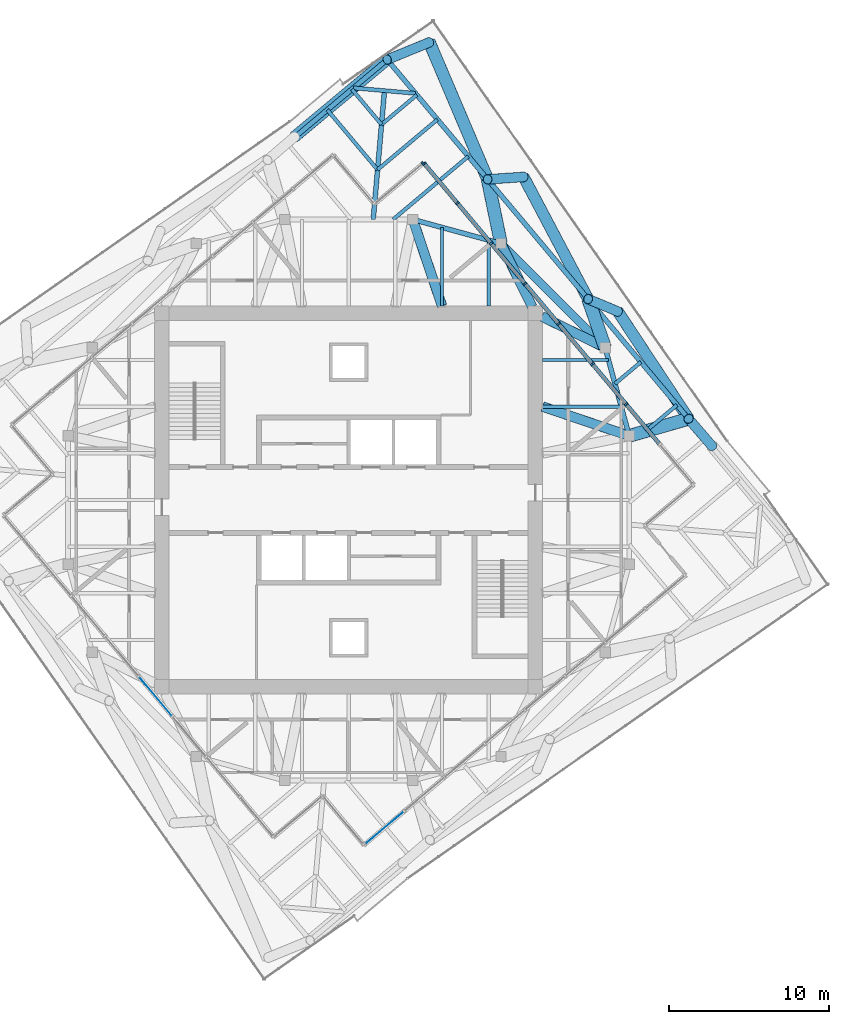
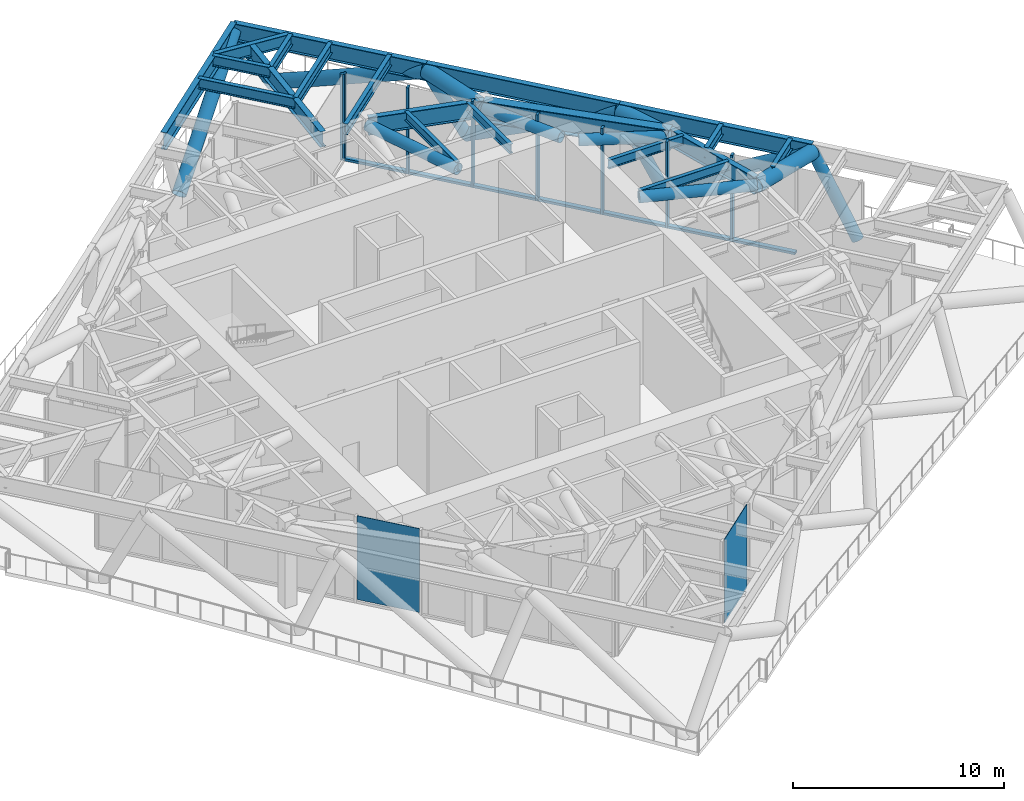
# One storey, part 5 of 15: 30 members, 20 beams, 2 plates, 4 elements without a shape of their own.
"""IFC4 building model written with IfcOpenShell, lengths in metres."""

from ifc_helpers import new_model, si_unit, direction, frame, origin, origin_2d, place, context, subcontext, project, spatial, rectangle, hollow_circle, i_section, extrude, material, layer, layer_set, material_profile, profile_set, type_object, element, aggregate, save


model = new_model("IFC4")

# Units and contexts
model_context = context("Model", 3, precision=1e-05, world=origin(), true_north=direction((0.0, 1.0)))
body_context = subcontext(model_context, "Body", "Model", "MODEL_VIEW")
ifc_project = project(units=[si_unit("LENGTHUNIT", "METRE"), si_unit("AREAUNIT", "SQUARE_METRE"), si_unit("VOLUMEUNIT", "CUBIC_METRE"), si_unit("PLANEANGLEUNIT", "RADIAN"), si_unit("MASSUNIT", "GRAM", prefix="KILO")], contexts=[model_context])

# Site, building, storey
site_placement = place(None, origin())
site = spatial("IfcSite", under=ifc_project, at=site_placement, CompositionType="ELEMENT")
building_placement = place(site_placement, origin())
building = spatial("IfcBuilding", under=site, at=building_placement, Name="Torsade Residences", CompositionType="ELEMENT")
storey_placement = place(building_placement, frame((0.0, 0.0, 267.60009765625)))
storey = spatial("IfcBuildingStorey", under=building, at=storey_placement, Name="L74", CompositionType="ELEMENT", Elevation=267.60009765625)

# Beams
ifc_material_1 = material(Name="Steel grade 300", Category="steel")
ifc_material_profile_1 = material_profile(ifc_material_1, i_section(OverallWidth=0.300048828125, OverallDepth=0.89990234375, WebThickness=0.011962890625, FlangeThickness=0.02490234375, at=origin_2d()), Name="900WB175")
ifc_profile_set_1 = profile_set([ifc_material_profile_1], Name="Steel grade 300")
beam_type_1 = type_object("IfcBeamType", Name="CORNER GIRDER 900WB175", PredefinedType="BEAM", material=ifc_profile_set_1)
beam_1_placement = place(storey_placement, frame((42.234130859375, 55.53515625, 4.39990234375), z_axis=(-0.087172957961, -0.996193191806, 0.0), x_axis=(0.996193191806, -0.087172957961, 0.0)))
element("IfcBeam", 1, at=beam_1_placement, inside=storey, type_object=beam_type_1, Name="Corner girder 09 L75", PredefinedType="BEAM", context=body_context, shape_type="SweptSolid", body=[
    extrude(i_section(OverallWidth=0.300048828125, OverallDepth=0.89990234375, WebThickness=0.011962890625, FlangeThickness=0.02490234375, at=origin_2d()), origin(), (0.0, 0.0, 1.0), 8.06591796875),
])
ifc_material_2 = material(Name="Steel grade 300", Category="steel")
ifc_material_profile_2 = material_profile(ifc_material_2, i_section(OverallWidth=0.25, OverallDepth=0.699951171875, WebThickness=0.010009765625, FlangeThickness=0.02001953125, at=origin_2d()), Name="700WB130")
ifc_profile_set_2 = profile_set([ifc_material_profile_2], Name="Steel grade 300")
beam_type_2 = type_object("IfcBeamType", Name="CORNER TRIMMER 700WB130", PredefinedType="BEAM", material=ifc_profile_set_2)
beam_2_placement = place(storey_placement, frame((40.296875, 55.70458984375, 4.5), z_axis=(0.996196646947, -0.087133464362, 0.0), x_axis=(0.087133464362, 0.996196646947, 0.0)))
element("IfcBeam", 2, at=beam_2_placement, inside=storey, type_object=beam_type_2, Name="Corner trimmer 09 L75", PredefinedType="BEAM", context=body_context, shape_type="SweptSolid", body=[
    extrude(i_section(OverallWidth=0.25, OverallDepth=0.699951171875, WebThickness=0.010009765625, FlangeThickness=0.02001953125, at=origin_2d()), origin(), (0.0, 0.0, 1.0), 3.88916015625),
])

# Curtain wall, members
ifc_material_3 = material(Name="Aluminium and glass", Category="aluminium")
curtain_wall_type = type_object("IfcCurtainWallType", Name="TRANSFER LEVEL CURTAIN WALL HIGH ZONE", PredefinedType="NOTDEFINED", material=ifc_material_3)
curtain_wall_1_placement = place(storey_placement, origin())
curtain_wall_1 = element("IfcCurtainWall", 3, at=curtain_wall_1_placement, inside=storey, type_object=curtain_wall_type, Name="Curtain wall L74 face 4", PredefinedType="NOTDEFINED")
ifc_material_4 = material(Name="Aluminium mullion", Category="aluminium")
ifc_material_profile_3 = material_profile(ifc_material_4, rectangle(XDim=0.25, YDim=0.1201171875, at=origin_2d()), Name="HIGH ZONE TRANSFER CURTAIN WALL MULLION 250x120")
ifc_profile_set_3 = profile_set([ifc_material_profile_3], Name="Aluminium mullion")
member_type_1 = type_object("IfcMemberType", Name="HIGH ZONE TRANSFER CURTAIN WALL MULLION 250x120", PredefinedType="MULLION", material=ifc_profile_set_3)
member_1_placement = place(storey_placement, frame((57.3095703125, 35.97412109375, 0.0), z_axis=(0.0, 0.0, 1.0), x_axis=(-0.766044424888, -0.642787631413, 0.0)))
member_1 = element("IfcMember", 4, at=member_1_placement, type_object=member_type_1, Name="Mullion 3", PredefinedType="MULLION", context=body_context, shape_type="SweptSolid", body=[
    extrude(rectangle(XDim=0.25, YDim=0.1201171875, at=origin_2d()), origin(), (0.0, 0.0, 1.0), 5.0),
])
member_2_placement = place(storey_placement, frame((55.20458984375, 38.48291015625, 0.0), z_axis=(0.0, 0.0, 1.0), x_axis=(-0.766044424888, -0.642787631413, 0.0)))
member_2 = element("IfcMember", 5, at=member_2_placement, type_object=member_type_1, Name="Mullion 4", PredefinedType="MULLION", context=body_context, shape_type="SweptSolid", body=[
    extrude(rectangle(XDim=0.25, YDim=0.1201171875, at=origin_2d()), origin(), (0.0, 0.0, 1.0), 5.0),
])
member_3_placement = place(storey_placement, frame((53.099365234375, 40.99169921875, 0.0), z_axis=(0.0, 0.0, 1.0), x_axis=(-0.766044424888, -0.642787631413, 0.0)))
member_3 = element("IfcMember", 6, at=member_3_placement, type_object=member_type_1, Name="Mullion 5", PredefinedType="MULLION", context=body_context, shape_type="SweptSolid", body=[
    extrude(rectangle(XDim=0.25, YDim=0.1201171875, at=origin_2d()), origin(), (0.0, 0.0, 1.0), 5.0),
])
member_4_placement = place(storey_placement, frame((50.994140625, 43.50048828125, 0.0), z_axis=(0.0, 0.0, 1.0), x_axis=(-0.766044424888, -0.642787631413, 0.0)))
member_4 = element("IfcMember", 7, at=member_4_placement, type_object=member_type_1, Name="Mullion 6", PredefinedType="MULLION", context=body_context, shape_type="SweptSolid", body=[
    extrude(rectangle(XDim=0.25, YDim=0.1201171875, at=origin_2d()), origin(), (0.0, 0.0, 1.0), 5.0),
])
member_5_placement = place(storey_placement, frame((48.88916015625, 46.00927734375, 0.0), z_axis=(0.0, 0.0, 1.0), x_axis=(-0.766044424888, -0.642787631413, 0.0)))
member_5 = element("IfcMember", 8, at=member_5_placement, type_object=member_type_1, Name="Mullion 7", PredefinedType="MULLION", context=body_context, shape_type="SweptSolid", body=[
    extrude(rectangle(XDim=0.25, YDim=0.1201171875, at=origin_2d()), origin(), (0.0, 0.0, 1.0), 5.0),
])
member_6_placement = place(storey_placement, frame((46.783935546875, 48.51806640625, 0.0), z_axis=(0.0, 0.0, 1.0), x_axis=(-0.766044424888, -0.642787631413, 0.0)))
member_6 = element("IfcMember", 9, at=member_6_placement, type_object=member_type_1, Name="Mullion 8", PredefinedType="MULLION", context=body_context, shape_type="SweptSolid", body=[
    extrude(rectangle(XDim=0.25, YDim=0.1201171875, at=origin_2d()), origin(), (0.0, 0.0, 1.0), 5.0),
])
member_7_placement = place(storey_placement, frame((44.717529296875, 50.98095703125, 0.0), z_axis=(0.0, 0.0, 1.0), x_axis=(-0.766044424888, -0.642787631413, 0.0)))
member_7 = element("IfcMember", 10, at=member_7_placement, type_object=member_type_1, Name="Mullion 9", PredefinedType="MULLION", context=body_context, shape_type="SweptSolid", body=[
    extrude(rectangle(XDim=0.25, YDim=0.1201171875, at=origin_2d()), origin(), (0.0, 0.0, 1.0), 5.0),
])

# Curtain wall, member
curtain_wall_2_placement = place(storey_placement, origin())
curtain_wall_2 = element("IfcCurtainWall", 11, at=curtain_wall_2_placement, inside=storey, type_object=curtain_wall_type, Name="Curtain wall L74 face 5", PredefinedType="NOTDEFINED")
member_8_placement = place(storey_placement, frame((44.6328125, 50.98828125, 0.0), z_axis=(0.0, 0.0, 1.0), x_axis=(0.642787640411, -0.766044417338, 0.0)))
member_8 = element("IfcMember", 12, at=member_8_placement, type_object=member_type_1, Name="Mullion 1", PredefinedType="MULLION", context=body_context, shape_type="SweptSolid", body=[
    extrude(rectangle(XDim=0.25, YDim=0.1201171875, at=origin_2d()), origin(), (0.0, 0.0, 1.0), 5.0),
])
aggregate(curtain_wall_2, [member_8])

# Member
ifc_material_5 = material(Name="Aluminium transom", Category="aluminium")
ifc_material_profile_4 = material_profile(ifc_material_5, rectangle(XDim=0.25, YDim=0.139892578125, at=origin_2d()), Name="HIGH ZONE TRANSFER CURTAIN WALL TRANSOM 250x140")
ifc_profile_set_4 = profile_set([ifc_material_profile_4], Name="Aluminium transom")
member_type_2 = type_object("IfcMemberType", Name="HIGH ZONE TRANSFER CURTAIN WALL TRANSOM 250x140", PredefinedType="USERDEFINED", material=ifc_profile_set_4)
member_9_placement = place(storey_placement, frame((59.376220703125, 33.51123046875, 0.06982421875), z_axis=(-0.642783688793, 0.766047733122, 0.0), x_axis=(-0.766047733122, -0.642783688793, 0.0)))
member_9 = element("IfcMember", 13, at=member_9_placement, type_object=member_type_2, Name="Transom 2.1", ObjectType="TRANSOM", PredefinedType="USERDEFINED", context=body_context, shape_type="SweptSolid", body=[
    extrude(rectangle(XDim=0.25, YDim=0.139892578125, at=origin_2d()), origin(), (0.0, 0.0, 1.0), 3.155029296875),
])

member_10_placement = place(storey_placement, frame((57.27099609375, 36.02001953125, 0.06982421875), z_axis=(-0.642738277412, 0.766085835105, 0.0), x_axis=(-0.766085835105, -0.642738277412, 0.0)))
member_10 = element("IfcMember", 14, at=member_10_placement, type_object=member_type_2, Name="Transom 3.1", ObjectType="TRANSOM", PredefinedType="USERDEFINED", context=body_context, shape_type="SweptSolid", body=[
    extrude(rectangle(XDim=0.25, YDim=0.139892578125, at=origin_2d()), origin(), (0.0, 0.0, 1.0), 3.155029296875),
])

member_11_placement = place(storey_placement, frame((55.166015625, 38.52880859375, 0.06982421875), z_axis=(-0.642783688793, 0.766047733122, 0.0), x_axis=(-0.766047733122, -0.642783688793, 0.0)))
member_11 = element("IfcMember", 15, at=member_11_placement, type_object=member_type_2, Name="Transom 4.1", ObjectType="TRANSOM", PredefinedType="USERDEFINED", context=body_context, shape_type="SweptSolid", body=[
    extrude(rectangle(XDim=0.25, YDim=0.139892578125, at=origin_2d()), origin(), (0.0, 0.0, 1.0), 3.155029296875),
])

member_12_placement = place(storey_placement, frame((53.060791015625, 41.03759765625, 0.06982421875), z_axis=(-0.642783688793, 0.766047733122, 0.0), x_axis=(-0.766047733122, -0.642783688793, 0.0)))
member_12 = element("IfcMember", 16, at=member_12_placement, type_object=member_type_2, Name="Transom 5.1", ObjectType="TRANSOM", PredefinedType="USERDEFINED", context=body_context, shape_type="SweptSolid", body=[
    extrude(rectangle(XDim=0.25, YDim=0.139892578125, at=origin_2d()), origin(), (0.0, 0.0, 1.0), 3.155029296875),
])

member_13_placement = place(storey_placement, frame((50.95556640625, 43.54638671875, 0.06982421875), z_axis=(-0.642738277412, 0.766085835105, 0.0), x_axis=(-0.766085835105, -0.642738277412, 0.0)))
member_13 = element("IfcMember", 17, at=member_13_placement, type_object=member_type_2, Name="Transom 6.1", ObjectType="TRANSOM", PredefinedType="USERDEFINED", context=body_context, shape_type="SweptSolid", body=[
    extrude(rectangle(XDim=0.25, YDim=0.139892578125, at=origin_2d()), origin(), (0.0, 0.0, 1.0), 3.155029296875),
])

member_14_placement = place(storey_placement, frame((48.8505859375, 46.05517578125, 0.06982421875), z_axis=(-0.642783688793, 0.766047733122, 0.0), x_axis=(-0.766047733122, -0.642783688793, 0.0)))
member_14 = element("IfcMember", 18, at=member_14_placement, type_object=member_type_2, Name="Transom 7.1", ObjectType="TRANSOM", PredefinedType="USERDEFINED", context=body_context, shape_type="SweptSolid", body=[
    extrude(rectangle(XDim=0.25, YDim=0.139892578125, at=origin_2d()), origin(), (0.0, 0.0, 1.0), 3.155029296875),
])

member_15_placement = place(storey_placement, frame((46.745361328125, 48.56396484375, 0.06982421875), z_axis=(-0.642810915537, 0.766024886585, 0.0), x_axis=(-0.766024886585, -0.642810915537, 0.0)))
member_15 = element("IfcMember", 19, at=member_15_placement, type_object=member_type_2, Name="Transom 8.1", ObjectType="TRANSOM", PredefinedType="USERDEFINED", context=body_context, shape_type="SweptSolid", body=[
    extrude(rectangle(XDim=0.25, YDim=0.139892578125, at=origin_2d()), origin(), (0.0, 0.0, 1.0), 3.094970703125),
])

aggregate(curtain_wall_1, [member_1, member_2, member_3, member_4, member_5, member_6, member_7, member_9, member_10, member_11, member_12, member_13, member_14, member_15])

# Beams
ifc_material_6 = material(Name="Steel grade 300", Category="steel")
ifc_material_profile_5 = material_profile(ifc_material_6, i_section(OverallWidth=0.208984375, OverallDepth=0.528076171875, WebThickness=0.009521484375, FlangeThickness=0.01318359375, FilletRadius=0.013916015625, at=origin_2d()), Name="530UB82.0")
ifc_profile_set_5 = profile_set([ifc_material_profile_5], Name="Steel grade 300")
beam_type_3 = type_object("IfcBeamType", Name="INNER FLOOR BEAM 530UB82.0", PredefinedType="JOIST", material=ifc_profile_set_5)
beam_3_placement = place(storey_placement, frame((45.824951171875, 42.10009765625, 4.5859375), z_axis=(0.0, 1.0, 0.0), x_axis=(-1.0, 0.0, 0.0)))
element("IfcBeam", 20, at=beam_3_placement, inside=storey, type_object=beam_type_3, Name="Inner floor beam IN06 L75", PredefinedType="JOIST", context=body_context, shape_type="SweptSolid", body=[
    extrude(i_section(OverallWidth=0.208984375, OverallDepth=0.528076171875, WebThickness=0.009521484375, FlangeThickness=0.01318359375, FilletRadius=0.013916015625, at=origin_2d()), origin(), (0.0, 0.0, 1.0), 4.902099609375),
])
beam_4_placement = place(storey_placement, frame((48.737548828125, 42.10009765625, 4.5859375), z_axis=(0.0, 1.0, 0.0), x_axis=(-1.0, 0.0, 0.0)))
element("IfcBeam", 21, at=beam_4_placement, inside=storey, type_object=beam_type_3, Name="Inner floor beam IN07 L75", PredefinedType="JOIST", context=body_context, shape_type="SweptSolid", body=[
    extrude(i_section(OverallWidth=0.208984375, OverallDepth=0.528076171875, WebThickness=0.009521484375, FlangeThickness=0.01318359375, FilletRadius=0.013916015625, at=origin_2d()), origin(), (0.0, 0.0, 1.0), 4.10791015625),
])
beam_5_placement = place(storey_placement, frame((52.10009765625, 35.824951171875, 4.5859375), z_axis=(1.0, 0.0, 0.0), x_axis=(0.0, 1.0, 0.0)))
element("IfcBeam", 22, at=beam_5_placement, inside=storey, type_object=beam_type_3, Name="Inner floor beam IE06 L75", PredefinedType="JOIST", context=body_context, shape_type="SweptSolid", body=[
    extrude(i_section(OverallWidth=0.208984375, OverallDepth=0.528076171875, WebThickness=0.009521484375, FlangeThickness=0.01318359375, FilletRadius=0.013916015625, at=origin_2d()), origin(), (0.0, 0.0, 1.0), 4.902099609375),
])
beam_6_placement = place(storey_placement, frame((52.10009765625, 38.737548828125, 4.5859375), z_axis=(1.0, 0.0, 0.0), x_axis=(0.0, 1.0, 0.0)))
element("IfcBeam", 23, at=beam_6_placement, inside=storey, type_object=beam_type_3, Name="Inner floor beam IE07 L75", PredefinedType="JOIST", context=body_context, shape_type="SweptSolid", body=[
    extrude(i_section(OverallWidth=0.208984375, OverallDepth=0.528076171875, WebThickness=0.009521484375, FlangeThickness=0.01318359375, FilletRadius=0.013916015625, at=origin_2d()), origin(), (0.0, 0.0, 1.0), 4.10791015625),
])
ifc_material_7 = material(Name="Steel grade 300", Category="steel")
ifc_material_profile_6 = material_profile(ifc_material_7, i_section(OverallWidth=0.5, OverallDepth=1.199951171875, WebThickness=0.01611328125, FlangeThickness=0.0400390625, at=origin_2d()), Name="1200WB455")
ifc_profile_set_6 = profile_set([ifc_material_profile_6], Name="Steel grade 300")
beam_type_4 = type_object("IfcBeamType", Name="RING CORNER GIRDER 1200WB455", PredefinedType="BEAM", material=ifc_profile_set_6)
beam_7_placement = place(storey_placement, frame((56.0, 39.5, 4.25), z_axis=(-0.707106781187, 0.707106781187, 0.0), x_axis=(-0.707106781187, -0.707106781187, 0.0)))
element("IfcBeam", 24, at=beam_7_placement, inside=storey, type_object=beam_type_4, Name="Ring girder IR03 L75", PredefinedType="BEAM", context=body_context, shape_type="SweptSolid", body=[
    extrude(i_section(OverallWidth=0.5, OverallDepth=1.199951171875, WebThickness=0.01611328125, FlangeThickness=0.0400390625, at=origin_2d()), origin(), (0.0, 0.0, 1.0), 9.1923828125),
])
ifc_material_8 = material(Name="Steel grade 300", Category="steel")
ifc_material_profile_7 = material_profile(ifc_material_8, i_section(OverallWidth=0.300048828125, OverallDepth=1.0, WebThickness=0.01611328125, FlangeThickness=0.028076171875, at=origin_2d()), Name="1000WB215")
ifc_profile_set_7 = profile_set([ifc_material_profile_7], Name="Steel grade 300")
beam_type_5 = type_object("IfcBeamType", Name="RING GIRDER 1000WB215", PredefinedType="BEAM", material=ifc_profile_set_7)
for number, where, z_axis, x_axis, name in (
    (25, (57.5, 34.0, 4.349853515625), (-0.263117405792, 0.964763821238, 0.0), (-0.964763821238, -0.263117405792, 0.0), "Ring girder IR02 L75"),
    (26, (49.5, 46.0, 4.349853515625), (-0.964763821238, 0.263117405792, 0.0), (-0.263117405792, -0.964763821238, 0.0), "Ring girder IR04 L75"),
):
    element("IfcBeam", number, at=place(storey_placement, frame(where, z_axis=z_axis, x_axis=x_axis)), inside=storey, type_object=beam_type_5, Name=name, PredefinedType="BEAM", context=body_context, shape_type="SweptSolid", body=[
        extrude(i_section(OverallWidth=0.300048828125, OverallDepth=1.0, WebThickness=0.01611328125, FlangeThickness=0.028076171875, at=origin_2d()), origin(), (0.0, 0.0, 1.0), 5.700927734375),
    ])
ifc_material_9 = material(Name="Steel grade 300", Category="steel")
ifc_material_profile_8 = material_profile(ifc_material_9, i_section(OverallWidth=0.22900390625, OverallDepth=0.612060546875, WebThickness=0.011962890625, FlangeThickness=0.01953125, FilletRadius=0.013916015625, at=origin_2d()), Name="610UB125")
ifc_profile_set_8 = profile_set([ifc_material_profile_8], Name="Steel grade 300")
beam_type_6 = type_object("IfcBeamType", Name="SECONDARY BEAM 610UB125", PredefinedType="JOIST", material=ifc_profile_set_8)
beam_8_placement = place(storey_placement, frame((60.48193359375, 35.92724609375, 4.5439453125), z_axis=(-0.766075140542, -0.642751024148, 0.0), x_axis=(0.642751024148, -0.766075140542, 0.0)))
element("IfcBeam", 27, at=beam_8_placement, inside=storey, type_object=beam_type_6, Name="Floor beam FE04 L75", PredefinedType="JOIST", context=body_context, shape_type="SweptSolid", body=[
    extrude(i_section(OverallWidth=0.22900390625, OverallDepth=0.612060546875, WebThickness=0.011962890625, FlangeThickness=0.01953125, FilletRadius=0.013916015625, at=origin_2d()), origin(), (0.0, 0.0, 1.0), 2.531982421875),
])
beam_9_placement = place(storey_placement, frame((58.232177734375, 38.6083984375, 4.5439453125), z_axis=(-0.766057560226, -0.642771977004, 0.0), x_axis=(0.642771977004, -0.766057560226, 0.0)))
element("IfcBeam", 28, at=beam_9_placement, inside=storey, type_object=beam_type_6, Name="Floor beam FE05 L75", PredefinedType="JOIST", context=body_context, shape_type="SweptSolid", body=[
    extrude(i_section(OverallWidth=0.22900390625, OverallDepth=0.612060546875, WebThickness=0.011962890625, FlangeThickness=0.01953125, FilletRadius=0.013916015625, at=origin_2d()), origin(), (0.0, 0.0, 1.0), 2.113037109375),
])
beam_10_placement = place(storey_placement, frame((47.465576171875, 51.439697265625, 4.5439453125), z_axis=(-0.766039049329, -0.642794037701, 0.0), x_axis=(0.642794037701, -0.766039049329, 0.0)))
element("IfcBeam", 29, at=beam_10_placement, inside=storey, type_object=beam_type_6, Name="Floor beam FE10 L75", PredefinedType="JOIST", context=body_context, shape_type="SweptSolid", body=[
    extrude(i_section(OverallWidth=0.22900390625, OverallDepth=0.612060546875, WebThickness=0.011962890625, FlangeThickness=0.01953125, FilletRadius=0.013916015625, at=origin_2d()), origin(), (0.0, 0.0, 1.0), 6.12890625),
])
beam_11_placement = place(storey_placement, frame((45.537109375, 53.73779296875, 4.5439453125), z_axis=(-0.766041186946, -0.642791490223, 0.0), x_axis=(0.642791490223, -0.766041186946, 0.0)))
element("IfcBeam", 30, at=beam_11_placement, inside=storey, type_object=beam_type_6, Name="Floor beam FE11 L75", PredefinedType="JOIST", context=body_context, shape_type="SweptSolid", body=[
    extrude(i_section(OverallWidth=0.22900390625, OverallDepth=0.612060546875, WebThickness=0.011962890625, FlangeThickness=0.01953125, FilletRadius=0.013916015625, at=origin_2d()), origin(), (0.0, 0.0, 1.0), 4.875),
])
for number, where, z_axis, x_axis, name in (
    (31, (44.25146484375, 55.269775390625, 4.5439453125), (-0.766066093402, -0.642761807001, 0.0), (0.642761807001, -0.766066093402, 0.0), "Floor beam FE12 L75"),
    (32, (40.201171875, 55.624267578125, 4.5439453125), (0.642761807001, -0.766066093402, 0.0), (0.766066093402, 0.642761807001, 0.0), "Floor beam FN01 L75"),
):
    element("IfcBeam", number, at=place(storey_placement, frame(where, z_axis=z_axis, x_axis=x_axis)), inside=storey, type_object=beam_type_6, Name=name, PredefinedType="JOIST", context=body_context, shape_type="SweptSolid", body=[
        extrude(i_section(OverallWidth=0.22900390625, OverallDepth=0.612060546875, WebThickness=0.011962890625, FlangeThickness=0.01953125, FilletRadius=0.013916015625, at=origin_2d()), origin(), (0.0, 0.0, 1.0), 2.875),
    ])
beam_12_placement = place(storey_placement, frame((38.6689453125, 54.338623046875, 4.5439453125), z_axis=(0.642820877376, -0.766016526982, 0.0), x_axis=(0.766016526982, 0.642820877376, 0.0)))
element("IfcBeam", 33, at=beam_12_placement, inside=storey, type_object=beam_type_6, Name="Floor beam FN02 L75", PredefinedType="JOIST", context=body_context, shape_type="SweptSolid", body=[
    extrude(i_section(OverallWidth=0.22900390625, OverallDepth=0.612060546875, WebThickness=0.011962890625, FlangeThickness=0.01953125, FilletRadius=0.013916015625, at=origin_2d()), origin(), (0.0, 0.0, 1.0), 4.875),
])

# Members
ifc_material_10 = material(Name="Steel grade 450", Category="steel")
ifc_material_profile_9 = material_profile(ifc_material_10, hollow_circle(Radius=0.304931640625, WallThickness=0.01611328125, at=origin_2d()), Name="610.0x16.0CHS")
ifc_profile_set_9 = profile_set([ifc_material_profile_9], Name="Steel grade 450")
member_type_3 = type_object("IfcMemberType", Name="TRANSFER FLOOR BRACE 610.0x16.0CHS", PredefinedType="BRACE", material=ifc_profile_set_9)
member_16_placement = place(storey_placement, frame((57.5, 34.0, 4.349853515625), z_axis=(-0.947252495944, 0.320133484365, 0.01507518214), x_axis=(-0.320169867513, -0.947360151124, 0.0)))
element("IfcMember", 34, at=member_16_placement, inside=storey, type_object=member_type_3, Name="Transfer floor brace TT8 top IR02IE06", PredefinedType="BRACE", context=body_context, shape_type="SweptSolid", body=[
    extrude(hollow_circle(Radius=0.304931640625, WallThickness=0.01611328125, at=origin_2d()), origin(), (0.0, 0.0, 1.0), 5.70068359375),
])
for number, where, z_axis, x_axis, name in (
    (35, (56.0, 39.5, 4.349853515625), (-0.896469701914, 0.443105036702, 0.0), (-0.443105036702, -0.896469701914, 0.0), "Transfer floor brace TT8 top IR03C"),
    (36, (49.5, 46.0, 4.349853515625), (0.443105036702, -0.896469701914, 0.0), (0.896469701914, 0.443105036702, 0.0), "Transfer floor brace TT8 top IR04C"),
):
    element("IfcMember", number, at=place(storey_placement, frame(where, z_axis=z_axis, x_axis=x_axis)), inside=storey, type_object=member_type_3, Name=name, PredefinedType="BRACE", context=body_context, shape_type="SweptSolid", body=[
        extrude(hollow_circle(Radius=0.304931640625, WallThickness=0.01611328125, at=origin_2d()), origin(), (0.0, 0.0, 1.0), 4.40234375),
    ])
member_17_placement = place(storey_placement, frame((44.0, 47.5, 4.349853515625), z_axis=(0.320133484365, -0.947252495944, 0.01507518214), x_axis=(0.947360151124, 0.320169867513, 0.0)))
element("IfcMember", 37, at=member_17_placement, inside=storey, type_object=member_type_3, Name="Transfer floor brace TT8 top IR05IN06", PredefinedType="BRACE", context=body_context, shape_type="SweptSolid", body=[
    extrude(hollow_circle(Radius=0.304931640625, WallThickness=0.01611328125, at=origin_2d()), origin(), (0.0, 0.0, 1.0), 5.70068359375),
])
ifc_material_11 = material(Name="Steel grade 450", Category="steel")
ifc_material_profile_10 = material_profile(ifc_material_11, hollow_circle(Radius=0.406494140625, WallThickness=0.02490234375, at=origin_2d()), Name="813.0x25.0CHS")
ifc_profile_set_10 = profile_set([ifc_material_profile_10], Name="Steel grade 450")
member_type_4 = type_object("IfcMemberType", Name="TRANSFER FLOOR STRUT 813.0x25.0CHS", PredefinedType="STRUT", material=ifc_profile_set_10)
member_18_placement = place(storey_placement, frame((61.205078125, 35.0654296875, 4.349853515625), z_axis=(-0.961054167561, -0.276360067688, 0.0), x_axis=(0.276360067688, -0.961054167561, 0.0)))
element("IfcMember", 38, at=member_18_placement, inside=storey, type_object=member_type_4, Name="Transfer floor strut TT8 top 06IR02", PredefinedType="STRUT", context=body_context, shape_type="SweptSolid", body=[
    extrude(hollow_circle(Radius=0.406494140625, WallThickness=0.02490234375, at=origin_2d()), origin(), (0.0, 0.0, 1.0), 3.855224609375),
])
member_19_placement = place(storey_placement, frame((54.93798828125, 42.534423828125, 4.349853515625), z_axis=(0.330340276786, -0.943861908085, 0.0), x_axis=(0.943861908085, 0.330340276786, 0.0)))
element("IfcMember", 39, at=member_19_placement, inside=storey, type_object=member_type_4, Name="Transfer floor strut TT8 top 07IR03", PredefinedType="STRUT", context=body_context, shape_type="SweptSolid", body=[
    extrude(hollow_circle(Radius=0.406494140625, WallThickness=0.02490234375, at=origin_2d()), origin(), (0.0, 0.0, 1.0), 3.21484375),
])
member_20_placement = place(storey_placement, frame((48.670654296875, 50.003173828125, 4.349853515625), z_axis=(0.202864287033, -0.979206863255, 0.0), x_axis=(0.979206863255, 0.202864287033, 0.0)))
element("IfcMember", 40, at=member_20_placement, inside=storey, type_object=member_type_4, Name="Transfer floor strut TT8 top 08IR04", PredefinedType="STRUT", context=body_context, shape_type="SweptSolid", body=[
    extrude(hollow_circle(Radius=0.406494140625, WallThickness=0.02490234375, at=origin_2d()), origin(), (0.0, 0.0, 1.0), 4.088134765625),
])

# Beams
ifc_material_12 = material(Name="Steel grade 300", Category="steel")
ifc_material_profile_11 = material_profile(ifc_material_12, i_section(OverallWidth=0.300048828125, OverallDepth=1.0, WebThickness=0.01611328125, FlangeThickness=0.028076171875, at=origin_2d()), Name="1000WB215")
ifc_profile_set_11 = profile_set([ifc_material_profile_11], Name="Steel grade 300")
beam_type_7 = type_object("IfcBeamType", Name="TRANSFER TRUSS CHORD 1000WB215", PredefinedType="USERDEFINED", material=ifc_profile_set_11)
for number, where, z_axis, x_axis, name in (
    (41, (61.205078125, 35.0654296875, 4.349853515625), (-0.642779160279, 0.766051532934, 0.0), (-0.766051532934, -0.642779160279, 0.0), "Transfer truss TT8 top chord 06"),
    (42, (54.93798828125, 42.534423828125, 4.349853515625), (-0.642806184154, 0.766028856906, 0.0), (-0.766028856906, -0.642806184154, 0.0), "Transfer truss TT8 top chord 07"),
    (43, (48.670654296875, 50.003173828125, 4.349853515625), (-0.642779160279, 0.766051532934, 0.0), (-0.766051532934, -0.642779160279, 0.0), "Transfer truss TT8 top chord 08"),
    (44, (42.403564453125, 57.47216796875, 4.349853515625), (-0.766051532934, -0.642779160279, 0.0), (0.642779160279, -0.766051532934, 0.0), "Transfer truss TT8 top chord 09"),
):
    element("IfcBeam", number, at=place(storey_placement, frame(where, z_axis=z_axis, x_axis=x_axis)), inside=storey, type_object=beam_type_7, Name=name, ObjectType="TRANSFER TRUSS CHORD", PredefinedType="USERDEFINED", context=body_context, shape_type="SweptSolid", body=[
        extrude(i_section(OverallWidth=0.300048828125, OverallDepth=1.0, WebThickness=0.01611328125, FlangeThickness=0.028076171875, at=origin_2d()), origin(), (0.0, 0.0, 1.0), 9.75),
    ])

# Members
ifc_material_13 = material(Name="Steel grade 450", Category="steel")
ifc_material_profile_12 = material_profile(ifc_material_13, hollow_circle(Radius=0.35546875, WallThickness=0.02001953125, at=origin_2d()), Name="711.0x20.0CHS")
ifc_profile_set_12 = profile_set([ifc_material_profile_12], Name="Steel grade 450")
member_type_5 = type_object("IfcMemberType", Name="TRANSFER TRUSS DIAGONAL 711.0x20.0CHS", PredefinedType="BRACE", material=ifc_profile_set_12)
member_21_placement = place(storey_placement, frame((56.792724609375, 41.75830078125, -0.2001953125), z_axis=(0.478681746797, -0.726087611725, 0.493619859186), x_axis=(0.834892682668, 0.550412761868, 0.0)))
element("IfcMember", 45, at=member_21_placement, inside=storey, type_object=member_type_5, Name="Transfer truss TT8 diagonal 06", PredefinedType="BRACE", context=body_context, shape_type="SweptSolid", body=[
    extrude(hollow_circle(Radius=0.35546875, WallThickness=0.02001953125, at=origin_2d()), origin(), (0.0, 0.0, 1.0), 9.2177734375),
])
member_22_placement = place(storey_placement, frame((50.91357421875, 50.154541015625, -0.2001953125), z_axis=(0.412972167197, -0.781951424565, 0.466911082264), x_axis=(0.884256077273, 0.46700234454, 0.0)))
element("IfcMember", 46, at=member_22_placement, inside=storey, type_object=member_type_5, Name="Transfer truss TT8 diagonal 07", PredefinedType="BRACE", context=body_context, shape_type="SweptSolid", body=[
    extrude(hollow_circle(Radius=0.35546875, WallThickness=0.02001953125, at=origin_2d()), origin(), (0.0, 0.0, 1.0), 9.7451171875),
])
member_23_placement = place(storey_placement, frame((36.637939453125, 52.671875, -0.2001953125), z_axis=(0.65710434893, 0.547086115712, 0.518565961679), x_axis=(-0.639838643951, 0.768509277568, 0.0)))
element("IfcMember", 47, at=member_23_placement, inside=storey, type_object=member_type_5, Name="Transfer truss TT8 diagonal 09", PredefinedType="BRACE", context=body_context, shape_type="SweptSolid", body=[
    extrude(hollow_circle(Radius=0.35546875, WallThickness=0.02001953125, at=origin_2d()), origin(), (0.0, 0.0, 1.0), 8.774169921875),
])
ifc_material_14 = material(Name="Steel grade 450", Category="steel")
ifc_material_profile_13 = material_profile(ifc_material_14, hollow_circle(Radius=0.381103515625, WallThickness=0.02197265625, at=origin_2d()), Name="762.0x22.0CHS")
ifc_profile_set_13 = profile_set([ifc_material_profile_13], Name="Steel grade 450")
member_type_6 = type_object("IfcMemberType", Name="TRANSFER TRUSS DIAGONAL 762.0x22.0CHS", PredefinedType="BRACE", material=ifc_profile_set_13)
member_24_placement = place(storey_placement, frame((45.0341796875, 58.551025390625, -0.2001953125), z_axis=(0.351563331, -0.82638035213, 0.439884914391), x_axis=(0.920189889641, 0.391472306815, 0.0)))
element("IfcMember", 48, at=member_24_placement, inside=storey, type_object=member_type_6, Name="Transfer truss TT8 diagonal 08", PredefinedType="BRACE", context=body_context, shape_type="SweptSolid", body=[
    extrude(hollow_circle(Radius=0.381103515625, WallThickness=0.02197265625, at=origin_2d()), origin(), (0.0, 0.0, 1.0), 10.34375),
])
ifc_material_15 = material(Name="Steel grade 450", Category="steel")
ifc_material_profile_14 = material_profile(ifc_material_15, hollow_circle(Radius=0.304931640625, WallThickness=0.01611328125, at=origin_2d()), Name="610.0x16.0CHS")
ifc_profile_set_14 = profile_set([ifc_material_profile_14], Name="Steel grade 450")
member_type_7 = type_object("IfcMemberType", Name="TRANSFER TRUSS RAKING STRUT 610.0x16.0CHS", PredefinedType="STRUT", material=ifc_profile_set_14)
member_25_placement = place(storey_placement, frame((62.671875, 33.362060546875, -0.2001953125), z_axis=(-0.28902245025, 0.335637422669, 0.896556492228), x_axis=(-0.757767310597, -0.652524867718, 0.0)))
element("IfcMember", 49, at=member_25_placement, inside=storey, type_object=member_type_7, Name="Transfer truss TT8 raking strut 06", PredefinedType="STRUT", context=body_context, shape_type="SweptSolid", body=[
    extrude(hollow_circle(Radius=0.304931640625, WallThickness=0.01611328125, at=origin_2d()), origin(), (0.0, 0.0, 1.0), 5.074951171875),
])
member_26_placement = place(storey_placement, frame((56.792724609375, 41.75830078125, -0.2001953125), z_axis=(-0.372850994924, 0.156021233758, 0.914680004264), x_axis=(-0.38602034486, -0.922490267349, 0.0)))
element("IfcMember", 50, at=member_26_placement, inside=storey, type_object=member_type_7, Name="Transfer truss TT8 raking strut 07", PredefinedType="STRUT", context=body_context, shape_type="SweptSolid", body=[
    extrude(hollow_circle(Radius=0.304931640625, WallThickness=0.01611328125, at=origin_2d()), origin(), (0.0, 0.0, 1.0), 4.974365234375),
])
member_27_placement = place(storey_placement, frame((50.91357421875, 50.154541015625, -0.2001953125), z_axis=(-0.441946761454, -0.029825513454, 0.896545313293), x_axis=(0.067333506585, -0.997730524185, 0.0)))
element("IfcMember", 51, at=member_27_placement, inside=storey, type_object=member_type_7, Name="Transfer truss TT8 raking strut 08", PredefinedType="STRUT", context=body_context, shape_type="SweptSolid", body=[
    extrude(hollow_circle(Radius=0.304931640625, WallThickness=0.01611328125, at=origin_2d()), origin(), (0.0, 0.0, 1.0), 5.0751953125),
])
member_28_placement = place(storey_placement, frame((45.0341796875, 58.551025390625, -0.2001953125), z_axis=(-0.490296756187, -0.201078549011, 0.848042751281), x_axis=(0.379445166464, -0.925214226894, 0.0)))
element("IfcMember", 52, at=member_28_placement, inside=storey, type_object=member_type_7, Name="Transfer truss TT8 raking strut 09", PredefinedType="STRUT", context=body_context, shape_type="SweptSolid", body=[
    extrude(hollow_circle(Radius=0.304931640625, WallThickness=0.01611328125, at=origin_2d()), origin(), (0.0, 0.0, 1.0), 5.365234375),
])

# Curtain wall, plate
curtain_wall_3_placement = place(storey_placement, origin())
curtain_wall_3 = element("IfcCurtainWall", 53, at=curtain_wall_3_placement, inside=storey, type_object=curtain_wall_type, Name="Curtain wall L74 face 1", PredefinedType="NOTDEFINED")
ifc_material_16 = material(Name="Laminated glass", Category="glass")
ifc_layer = layer(ifc_material_16, 0.02392578125)
ifc_layer_set = layer_set([ifc_layer], Name="Laminated glass")
plate_type = type_object("IfcPlateType", Name="CLEAR GLASS PANEL", PredefinedType="CURTAIN_PANEL", material=ifc_layer_set)
plate_1_placement = place(storey_placement, frame((42.23388671875, 9.552001953125, 0.1396484375), z_axis=(0.0, 0.0, 1.0), x_axis=(0.766044424888, 0.642787631413, 0.0)))
plate_1 = element("IfcPlate", 54, at=plate_1_placement, type_object=plate_type, Name="Panel 1", PredefinedType="CURTAIN_PANEL", context=body_context, shape_type="SweptSolid", body=[
    extrude(rectangle(XDim=3.094970703125, YDim=0.02392578125, at=origin_2d()), origin(), (0.0, 0.0, 1.0), 4.860107421875),
])
aggregate(curtain_wall_3, [plate_1])

curtain_wall_4_placement = place(storey_placement, origin())
curtain_wall_4 = element("IfcCurtainWall", 55, at=curtain_wall_4_placement, inside=storey, type_object=curtain_wall_type, Name="Curtain wall L74 face 10", PredefinedType="NOTDEFINED")
plate_2_placement = place(storey_placement, frame((27.953125, 17.75390625, 0.1396484375), z_axis=(0.0, 0.0, 1.0), x_axis=(0.642787631413, -0.766044424888, 0.0)))
plate_2 = element("IfcPlate", 56, at=plate_2_placement, type_object=plate_type, Name="Panel 5", PredefinedType="CURTAIN_PANEL", context=body_context, shape_type="SweptSolid", body=[
    extrude(rectangle(XDim=3.155029296875, YDim=0.02392578125, at=origin_2d()), origin(), (0.0, 0.0, 1.0), 4.860107421875),
])
aggregate(curtain_wall_4, [plate_2])

save(model, "model.ifc")
